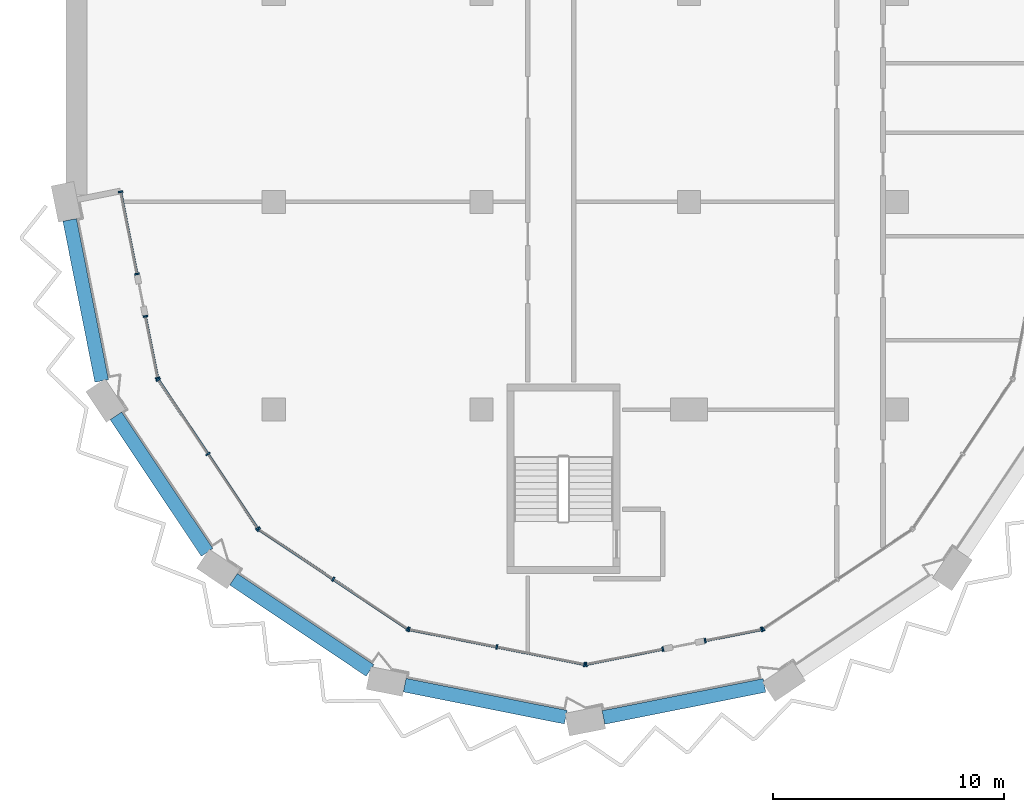
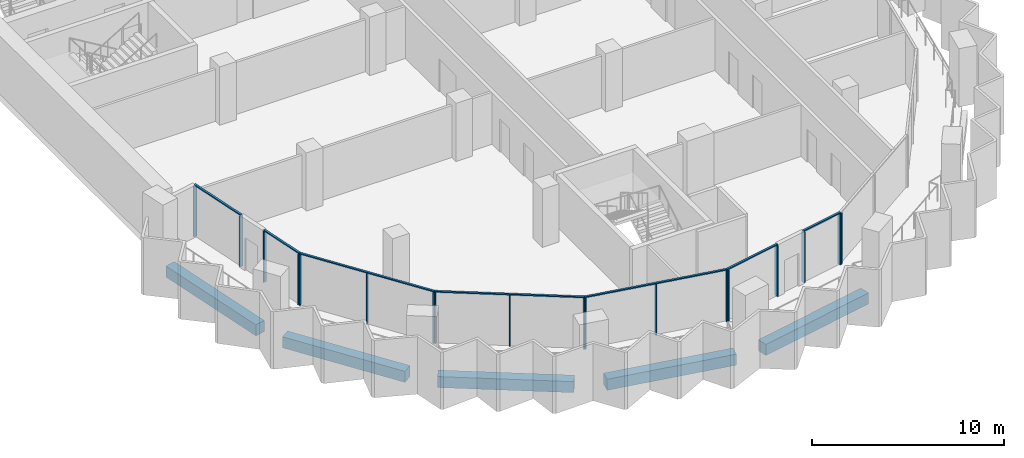
# One storey, part 2 of 16: 25 members, 5 beams, 8 elements without a shape of their own.
"""IFC4 building model written with IfcOpenShell, lengths in metres."""

from ifc_helpers import new_model, si_unit, direction, frame, origin, origin_2d, place, context, subcontext, project, spatial, rectangle, extrude, material, material_profile, profile_set, type_object, element, aggregate, save


model = new_model("IFC4")

# Units and contexts
model_context = context("Model", 3, precision=1e-05, world=origin(), true_north=direction((0.0, 1.0)))
body_context = subcontext(model_context, "Body", "Model", "MODEL_VIEW")
ifc_project = project(units=[si_unit("LENGTHUNIT", "METRE"), si_unit("AREAUNIT", "SQUARE_METRE"), si_unit("VOLUMEUNIT", "CUBIC_METRE"), si_unit("PLANEANGLEUNIT", "RADIAN"), si_unit("MASSUNIT", "GRAM", prefix="KILO")], contexts=[model_context])

# Site, building, storey
site_placement = place(None, origin())
site = spatial("IfcSite", under=ifc_project, at=site_placement, CompositionType="ELEMENT")
building_placement = place(site_placement, origin())
building = spatial("IfcBuilding", under=site, at=building_placement, Name="Hunhe Ridgeline Campus", CompositionType="ELEMENT")
storey_placement = place(building_placement, frame((0.0, 0.0, 254.0)))
storey = spatial("IfcBuildingStorey", under=building, at=storey_placement, Name="L65", CompositionType="ELEMENT", Elevation=254.0)

# Curtain wall, members
ifc_material_1 = material(Name="Aluminium 6063", Category="aluminium")
curtain_wall_type = type_object("IfcCurtainWallType", Name="Curtain wall CW-5", PredefinedType="NOTDEFINED", material=ifc_material_1)
curtain_wall_1_placement = place(storey_placement, origin())
curtain_wall_1 = element("IfcCurtainWall", 1, at=curtain_wall_1_placement, inside=storey, type_object=curtain_wall_type, Name="Curtain wall 01", PredefinedType="NOTDEFINED")
ifc_material_profile_1 = material_profile(ifc_material_1, rectangle(XDim=0.199951171875, YDim=0.070068359375, at=origin_2d()))
ifc_profile_set_1 = profile_set([ifc_material_profile_1], Name="Aluminium 6063")
member_type_1 = type_object("IfcMemberType", Name="CW-5 aluminium mullion", PredefinedType="MULLION", material=ifc_profile_set_1)
member_1_placement = place(storey_placement, frame((2.361572265625, 45.434326171875, 0.0), z_axis=(0.0, 0.0, 1.0), x_axis=(0.980784284924, 0.195095326561, 0.0)))
member_1 = element("IfcMember", 2, at=member_1_placement, type_object=member_type_1, Name="CW-5 mullion 1", PredefinedType="MULLION", context=body_context, shape_type="SweptSolid", body=[
    extrude(rectangle(XDim=0.199951171875, YDim=0.070068359375, at=origin_2d()), origin(), (0.0, 0.0, 1.0), 3.22998046875),
])
member_2_placement = place(storey_placement, frame((3.070068359375, 41.873291015625, 0.0), z_axis=(0.0, 0.0, 1.0), x_axis=(0.980784284924, 0.195095326561, 0.0)))
member_2 = element("IfcMember", 3, at=member_2_placement, type_object=member_type_1, Name="CW-5 mullion 2", PredefinedType="MULLION", context=body_context, shape_type="SweptSolid", body=[
    extrude(rectangle(XDim=0.199951171875, YDim=0.070068359375, at=origin_2d()), origin(), (0.0, 0.0, 1.0), 3.22998046875),
])

curtain_wall_2_placement = place(storey_placement, origin())
curtain_wall_2 = element("IfcCurtainWall", 4, at=curtain_wall_2_placement, inside=storey, type_object=curtain_wall_type, Name="Curtain wall 02", PredefinedType="NOTDEFINED")
member_3_placement = place(storey_placement, frame((3.434814453125, 40.0390625, 0.0), z_axis=(0.0, 0.0, 1.0), x_axis=(0.980784297053, 0.195095265587, 0.0)))
member_3 = element("IfcMember", 5, at=member_3_placement, type_object=member_type_1, Name="CW-5 mullion 1", PredefinedType="MULLION", context=body_context, shape_type="SweptSolid", body=[
    extrude(rectangle(XDim=0.199951171875, YDim=0.070068359375, at=origin_2d()), origin(), (0.0, 0.0, 1.0), 3.22998046875),
])
member_4_placement = place(storey_placement, frame((3.967529296875, 37.36083984375, 0.0), z_axis=(0.0, 0.0, 1.0), x_axis=(0.980784297053, 0.195095265587, 0.0)))
member_4 = element("IfcMember", 6, at=member_4_placement, type_object=member_type_1, Name="CW-5 mullion 2", PredefinedType="MULLION", context=body_context, shape_type="SweptSolid", body=[
    extrude(rectangle(XDim=0.199951171875, YDim=0.070068359375, at=origin_2d()), origin(), (0.0, 0.0, 1.0), 3.22998046875),
])

curtain_wall_3_placement = place(storey_placement, origin())
curtain_wall_3 = element("IfcCurtainWall", 7, at=curtain_wall_3_placement, inside=storey, type_object=curtain_wall_type, Name="Curtain wall 03", PredefinedType="NOTDEFINED")
member_5_placement = place(storey_placement, frame((3.993896484375, 37.29736328125, 0.0), z_axis=(0.0, 0.0, 1.0), x_axis=(0.831469584522, 0.555570274596, 0.0)))
member_5 = element("IfcMember", 8, at=member_5_placement, type_object=member_type_1, Name="CW-5 mullion 1", PredefinedType="MULLION", context=body_context, shape_type="SweptSolid", body=[
    extrude(rectangle(XDim=0.199951171875, YDim=0.070068359375, at=origin_2d()), origin(), (0.0, 0.0, 1.0), 3.22998046875),
])
member_6_placement = place(storey_placement, frame((6.147705078125, 34.07373046875, 0.0), z_axis=(0.0, 0.0, 1.0), x_axis=(0.831469584522, 0.555570274596, 0.0)))
member_6 = element("IfcMember", 9, at=member_6_placement, type_object=member_type_1, Name="CW-5 mullion 2", PredefinedType="MULLION", context=body_context, shape_type="SweptSolid", body=[
    extrude(rectangle(XDim=0.199951171875, YDim=0.070068359375, at=origin_2d()), origin(), (0.0, 0.0, 1.0), 3.22998046875),
])
member_7_placement = place(storey_placement, frame((8.3017578125, 30.850341796875, 0.0), z_axis=(0.0, 0.0, 1.0), x_axis=(0.831469584522, 0.555570274596, 0.0)))
member_7 = element("IfcMember", 10, at=member_7_placement, type_object=member_type_1, Name="CW-5 mullion 3", PredefinedType="MULLION", context=body_context, shape_type="SweptSolid", body=[
    extrude(rectangle(XDim=0.199951171875, YDim=0.070068359375, at=origin_2d()), origin(), (0.0, 0.0, 1.0), 3.22998046875),
])

curtain_wall_4_placement = place(storey_placement, origin())
curtain_wall_4 = element("IfcCurtainWall", 11, at=curtain_wall_4_placement, inside=storey, type_object=curtain_wall_type, Name="Curtain wall 04", PredefinedType="NOTDEFINED")
member_8_placement = place(storey_placement, frame((8.350341796875, 30.8017578125, 0.0), z_axis=(0.0, 0.0, 1.0), x_axis=(0.555570274596, 0.831469584522, 0.0)))
member_8 = element("IfcMember", 12, at=member_8_placement, type_object=member_type_1, Name="CW-5 mullion 1", PredefinedType="MULLION", context=body_context, shape_type="SweptSolid", body=[
    extrude(rectangle(XDim=0.199951171875, YDim=0.070068359375, at=origin_2d()), origin(), (0.0, 0.0, 1.0), 3.22998046875),
])
member_9_placement = place(storey_placement, frame((11.57373046875, 28.647705078125, 0.0), z_axis=(0.0, 0.0, 1.0), x_axis=(0.555570274596, 0.831469584522, 0.0)))
member_9 = element("IfcMember", 13, at=member_9_placement, type_object=member_type_1, Name="CW-5 mullion 2", PredefinedType="MULLION", context=body_context, shape_type="SweptSolid", body=[
    extrude(rectangle(XDim=0.199951171875, YDim=0.070068359375, at=origin_2d()), origin(), (0.0, 0.0, 1.0), 3.22998046875),
])
member_10_placement = place(storey_placement, frame((14.79736328125, 26.493896484375, 0.0), z_axis=(0.0, 0.0, 1.0), x_axis=(0.555570274596, 0.831469584522, 0.0)))
member_10 = element("IfcMember", 14, at=member_10_placement, type_object=member_type_1, Name="CW-5 mullion 3", PredefinedType="MULLION", context=body_context, shape_type="SweptSolid", body=[
    extrude(rectangle(XDim=0.199951171875, YDim=0.070068359375, at=origin_2d()), origin(), (0.0, 0.0, 1.0), 3.22998046875),
])

curtain_wall_5_placement = place(storey_placement, origin())
curtain_wall_5 = element("IfcCurtainWall", 15, at=curtain_wall_5_placement, inside=storey, type_object=curtain_wall_type, Name="Curtain wall 05", PredefinedType="NOTDEFINED")
member_11_placement = place(storey_placement, frame((14.86083984375, 26.467529296875, 0.0), z_axis=(0.0, 0.0, 1.0), x_axis=(0.195090347539, 0.980785275326, 0.0)))
member_11 = element("IfcMember", 16, at=member_11_placement, type_object=member_type_1, Name="CW-5 mullion 1", PredefinedType="MULLION", context=body_context, shape_type="SweptSolid", body=[
    extrude(rectangle(XDim=0.199951171875, YDim=0.070068359375, at=origin_2d()), origin(), (0.0, 0.0, 1.0), 3.22998046875),
])
member_12_placement = place(storey_placement, frame((18.663330078125, 25.711181640625, 0.0), z_axis=(0.0, 0.0, 1.0), x_axis=(0.195090347539, 0.980785275326, 0.0)))
member_12 = element("IfcMember", 17, at=member_12_placement, type_object=member_type_1, Name="CW-5 mullion 2", PredefinedType="MULLION", context=body_context, shape_type="SweptSolid", body=[
    extrude(rectangle(XDim=0.199951171875, YDim=0.070068359375, at=origin_2d()), origin(), (0.0, 0.0, 1.0), 3.22998046875),
])
member_13_placement = place(storey_placement, frame((22.465576171875, 24.954833984375, 0.0), z_axis=(0.0, 0.0, 1.0), x_axis=(0.195090347539, 0.980785275326, 0.0)))
member_13 = element("IfcMember", 18, at=member_13_placement, type_object=member_type_1, Name="CW-5 mullion 3", PredefinedType="MULLION", context=body_context, shape_type="SweptSolid", body=[
    extrude(rectangle(XDim=0.199951171875, YDim=0.070068359375, at=origin_2d()), origin(), (0.0, 0.0, 1.0), 3.22998046875),
])

curtain_wall_6_placement = place(storey_placement, origin())
curtain_wall_6 = element("IfcCurtainWall", 19, at=curtain_wall_6_placement, inside=storey, type_object=curtain_wall_type, Name="Curtain wall 06", PredefinedType="NOTDEFINED")
member_14_placement = place(storey_placement, frame((22.534423828125, 24.954833984375, 0.0), z_axis=(0.0, 0.0, 1.0), x_axis=(-0.19509037034, 0.980785270791, 0.0)))
member_14 = element("IfcMember", 20, at=member_14_placement, type_object=member_type_1, Name="CW-5 mullion 1", PredefinedType="MULLION", context=body_context, shape_type="SweptSolid", body=[
    extrude(rectangle(XDim=0.199951171875, YDim=0.070068359375, at=origin_2d()), origin(), (0.0, 0.0, 1.0), 3.22998046875),
])
member_15_placement = place(storey_placement, frame((25.861083984375, 25.61669921875, 0.0), z_axis=(0.0, 0.0, 1.0), x_axis=(-0.19509037034, 0.980785270791, 0.0)))
member_15 = element("IfcMember", 21, at=member_15_placement, type_object=member_type_1, Name="CW-5 mullion 2", PredefinedType="MULLION", context=body_context, shape_type="SweptSolid", body=[
    extrude(rectangle(XDim=0.199951171875, YDim=0.070068359375, at=origin_2d()), origin(), (0.0, 0.0, 1.0), 3.22998046875),
])

curtain_wall_7_placement = place(storey_placement, origin())
curtain_wall_7 = element("IfcCurtainWall", 22, at=curtain_wall_7_placement, inside=storey, type_object=curtain_wall_type, Name="Curtain wall 07", PredefinedType="NOTDEFINED")
member_16_placement = place(storey_placement, frame((27.695068359375, 25.9814453125, 0.0), z_axis=(0.0, 0.0, 1.0), x_axis=(-0.195090514627, 0.980785242091, 0.0)))
member_16 = element("IfcMember", 23, at=member_16_placement, type_object=member_type_1, Name="CW-5 mullion 1", PredefinedType="MULLION", context=body_context, shape_type="SweptSolid", body=[
    extrude(rectangle(XDim=0.199951171875, YDim=0.070068359375, at=origin_2d()), origin(), (0.0, 0.0, 1.0), 3.22998046875),
])
member_17_placement = place(storey_placement, frame((30.13916015625, 26.467529296875, 0.0), z_axis=(0.0, 0.0, 1.0), x_axis=(-0.195090514627, 0.980785242091, 0.0)))
member_17 = element("IfcMember", 24, at=member_17_placement, type_object=member_type_1, Name="CW-5 mullion 2", PredefinedType="MULLION", context=body_context, shape_type="SweptSolid", body=[
    extrude(rectangle(XDim=0.199951171875, YDim=0.070068359375, at=origin_2d()), origin(), (0.0, 0.0, 1.0), 3.22998046875),
])

# Curtain wall, member
curtain_wall_8_placement = place(storey_placement, origin())
curtain_wall_8 = element("IfcCurtainWall", 25, at=curtain_wall_8_placement, inside=storey, type_object=curtain_wall_type, Name="Curtain wall 08", PredefinedType="NOTDEFINED")
member_18_placement = place(storey_placement, frame((30.20263671875, 26.493896484375, 0.0), z_axis=(0.0, 0.0, 1.0), x_axis=(-0.555570274596, 0.831469584522, 0.0)))
member_18 = element("IfcMember", 26, at=member_18_placement, type_object=member_type_1, Name="CW-5 mullion 1", PredefinedType="MULLION", context=body_context, shape_type="SweptSolid", body=[
    extrude(rectangle(XDim=0.199951171875, YDim=0.070068359375, at=origin_2d()), origin(), (0.0, 0.0, 1.0), 3.22998046875),
])
aggregate(curtain_wall_8, [member_18])

# Member
ifc_material_profile_2 = material_profile(ifc_material_1, rectangle(XDim=0.1201171875, YDim=0.070068359375, at=origin_2d()))
ifc_profile_set_2 = profile_set([ifc_material_profile_2], Name="Aluminium 6063")
member_type_2 = type_object("IfcMemberType", Name="CW-5 aluminium transom", PredefinedType="USERDEFINED", material=ifc_profile_set_2)
member_19_placement = place(storey_placement, frame((2.354736328125, 45.46875, 3.264892578125), z_axis=(0.195126549745, -0.980778073564, 0.0), x_axis=(0.980778073564, 0.195126549745, 0.0)))
member_19 = element("IfcMember", 27, at=member_19_placement, type_object=member_type_2, Name="CW-5 transom 1", ObjectType="TRANSOM", PredefinedType="USERDEFINED", context=body_context, shape_type="SweptSolid", body=[
    extrude(rectangle(XDim=0.1201171875, YDim=0.070068359375, at=origin_2d()), origin(), (0.0, 0.0, 1.0), 3.700927734375),
])

aggregate(curtain_wall_1, [member_19, member_1, member_2])

member_20_placement = place(storey_placement, frame((3.427978515625, 40.073486328125, 3.264892578125), z_axis=(0.195076742145, -0.98078798151, 0.0), x_axis=(0.98078798151, 0.195076742145, 0.0)))
member_20 = element("IfcMember", 28, at=member_20_placement, type_object=member_type_2, Name="CW-5 transom 1", ObjectType="TRANSOM", PredefinedType="USERDEFINED", context=body_context, shape_type="SweptSolid", body=[
    extrude(rectangle(XDim=0.1201171875, YDim=0.070068359375, at=origin_2d()), origin(), (0.0, 0.0, 1.0), 2.80078125),
])

aggregate(curtain_wall_2, [member_20, member_3, member_4])

member_21_placement = place(storey_placement, frame((3.974365234375, 37.326416015625, 3.264892578125), z_axis=(0.5555640203, -0.831473763475, 0.0), x_axis=(0.831473763475, 0.5555640203, 0.0)))
member_21 = element("IfcMember", 29, at=member_21_placement, type_object=member_type_2, Name="CW-5 transom 1", ObjectType="TRANSOM", PredefinedType="USERDEFINED", context=body_context, shape_type="SweptSolid", body=[
    extrude(rectangle(XDim=0.1201171875, YDim=0.070068359375, at=origin_2d()), origin(), (0.0, 0.0, 1.0), 7.823974609375),
])

aggregate(curtain_wall_3, [member_21, member_5, member_6, member_7])

member_22_placement = place(storey_placement, frame((8.321044921875, 30.821044921875, 3.264892578125), z_axis=(0.831473763475, -0.5555640203, 0.0), x_axis=(0.5555640203, 0.831473763475, 0.0)))
member_22 = element("IfcMember", 30, at=member_22_placement, type_object=member_type_2, Name="CW-5 transom 1", ObjectType="TRANSOM", PredefinedType="USERDEFINED", context=body_context, shape_type="SweptSolid", body=[
    extrude(rectangle(XDim=0.1201171875, YDim=0.070068359375, at=origin_2d()), origin(), (0.0, 0.0, 1.0), 7.823974609375),
])

aggregate(curtain_wall_4, [member_22, member_8, member_9, member_10])

member_23_placement = place(storey_placement, frame((14.826416015625, 26.474365234375, 3.264892578125), z_axis=(0.980785367689, -0.195089883198, 0.0), x_axis=(0.195089883198, 0.980785367689, 0.0)))
member_23 = element("IfcMember", 31, at=member_23_placement, type_object=member_type_2, Name="CW-5 transom 1", ObjectType="TRANSOM", PredefinedType="USERDEFINED", context=body_context, shape_type="SweptSolid", body=[
    extrude(rectangle(XDim=0.1201171875, YDim=0.070068359375, at=origin_2d()), origin(), (0.0, 0.0, 1.0), 7.823974609375),
])

aggregate(curtain_wall_5, [member_23, member_11, member_12, member_13])

member_24_placement = place(storey_placement, frame((22.5, 24.947998046875, 3.264892578125), z_axis=(0.980778171596, 0.195126057004, 0.0), x_axis=(-0.195126057004, 0.980778171596, 0.0)))
member_24 = element("IfcMember", 32, at=member_24_placement, type_object=member_type_2, Name="CW-5 transom 1", ObjectType="TRANSOM", PredefinedType="USERDEFINED", context=body_context, shape_type="SweptSolid", body=[
    extrude(rectangle(XDim=0.1201171875, YDim=0.070068359375, at=origin_2d()), origin(), (0.0, 0.0, 1.0), 3.462158203125),
])

aggregate(curtain_wall_6, [member_24, member_14, member_15])

member_25_placement = place(storey_placement, frame((27.660888671875, 25.974609375, 3.264892578125), z_axis=(0.980789038007, 0.195071430315, 0.0), x_axis=(-0.195071430315, 0.980789038007, 0.0)))
member_25 = element("IfcMember", 33, at=member_25_placement, type_object=member_type_2, Name="CW-5 transom 1", ObjectType="TRANSOM", PredefinedType="USERDEFINED", context=body_context, shape_type="SweptSolid", body=[
    extrude(rectangle(XDim=0.1201171875, YDim=0.070068359375, at=origin_2d()), origin(), (0.0, 0.0, 1.0), 2.56201171875),
])

aggregate(curtain_wall_7, [member_25, member_16, member_17])

# Beams
ifc_material_2 = material(Name="Concrete C50", Category="concrete")
ifc_material_profile_3 = material_profile(ifc_material_2, rectangle(XDim=0.60009765625, YDim=0.699951171875, at=origin_2d()))
ifc_profile_set_3 = profile_set([ifc_material_profile_3], Name="Concrete C50")
beam_type = type_object("IfcBeamType", Name="RC spandrel beam 600x700 Concrete C50", PredefinedType="SPANDREL", material=ifc_profile_set_3)
for number, where, z_axis, x_axis, name in (
    (34, (0.156005859375, 44.21533203125, -0.60009765625), (0.195092933717, -0.9807847609, 0.0), (0.9807847609, 0.195092933717, 0.0), "Spandrel beam B4-1 L65"),
    (35, (2.1572265625, 35.724365234375, -0.60009765625), (0.55557907181, -0.831463706344, 0.0), (0.831463706344, 0.55557907181, 0.0), "Spandrel beam B4-2 L65"),
    (36, (7.25537109375, 28.645751953125, -0.60009765625), (0.831463706344, -0.55557907181, 0.0), (0.55557907181, 0.831463706344, 0.0), "Spandrel beam B4-3 L65"),
    (37, (14.67431640625, 24.056640625, -0.60009765625), (0.9807847609, -0.195092933717, 0.0), (0.195092933717, 0.9807847609, 0.0), "Spandrel beam B4-4 L65"),
    (38, (23.28466796875, 22.656005859375, -0.60009765625), (0.9807847609, 0.195092933717, 0.0), (-0.195092933717, 0.9807847609, 0.0), "Spandrel beam B4-5 L65"),
):
    element("IfcBeam", number, at=place(storey_placement, frame(where, z_axis=z_axis, x_axis=x_axis)), inside=storey, type_object=beam_type, Name=name, PredefinedType="SPANDREL", context=body_context, shape_type="SweptSolid", body=[
        extrude(rectangle(XDim=0.60009765625, YDim=0.699951171875, at=origin_2d()), origin(), (0.0, 0.0, 1.0), 7.113037109375),
    ])

save(model, "model.ifc")
